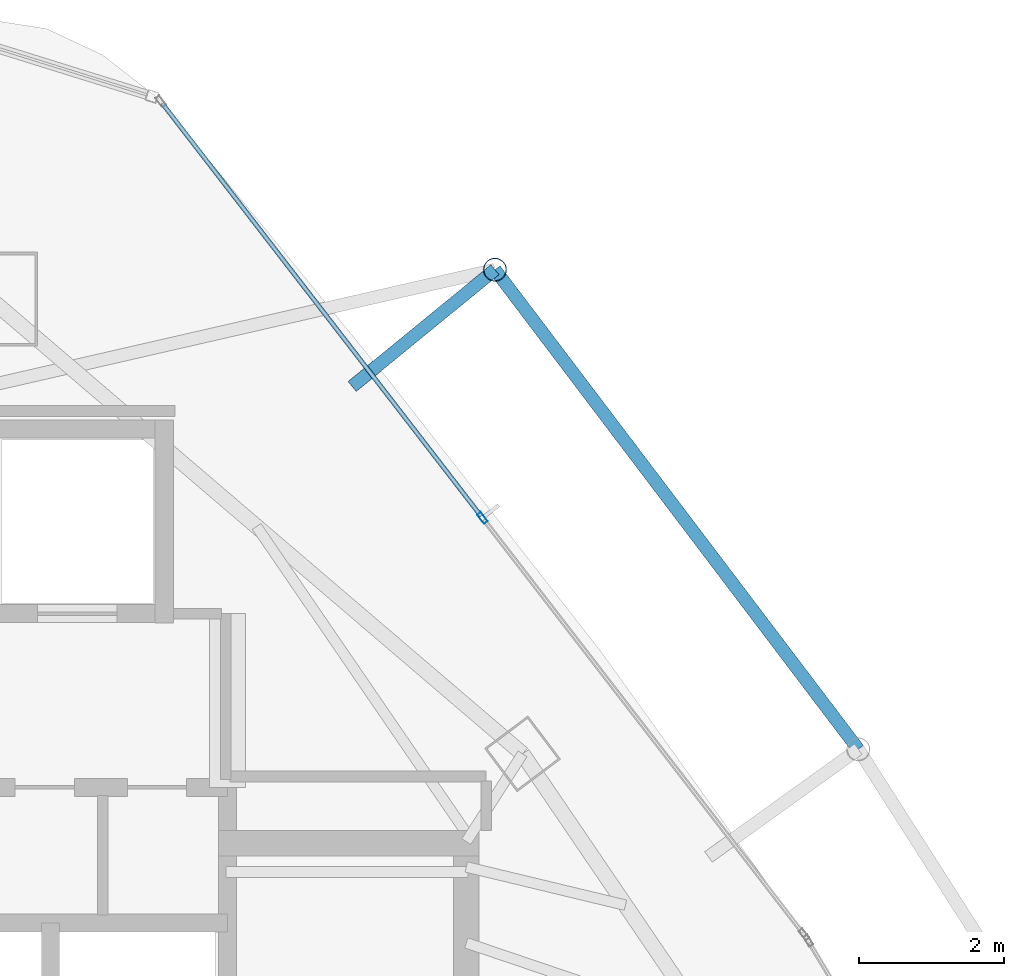
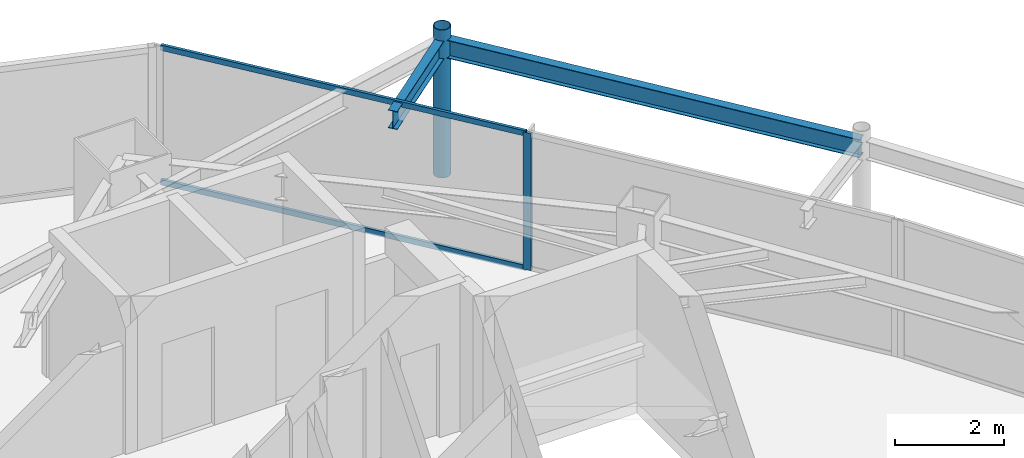
# One storey, part 22 of 29: 4 members, 2 beams, 1 element without a shape of its own.
"""IFC4 building model written with IfcOpenShell, lengths in metres."""

from ifc_helpers import new_model, si_unit, direction, frame, origin, origin_2d, place, context, subcontext, project, spatial, hollow_rectangle, hollow_circle, i_section, extrude, material, layer, layer_set, material_profile, profile_set, type_object, element, aggregate, save


model = new_model("IFC4")

# Units and contexts
model_context = context("Model", 3, precision=1e-05, world=origin(), true_north=direction((0.0, 1.0)))
body_context = subcontext(model_context, "Body", "Model", "MODEL_VIEW")
ifc_project = project(units=[si_unit("LENGTHUNIT", "METRE"), si_unit("AREAUNIT", "SQUARE_METRE"), si_unit("VOLUMEUNIT", "CUBIC_METRE"), si_unit("PLANEANGLEUNIT", "RADIAN"), si_unit("MASSUNIT", "GRAM", prefix="KILO")], contexts=[model_context])

# Site, building, storey
site_placement = place(None, origin())
site = spatial("IfcSite", under=ifc_project, at=site_placement, CompositionType="ELEMENT")
building_placement = place(site_placement, origin())
building = spatial("IfcBuilding", under=site, at=building_placement, Name="Orvanel Arch Residences", CompositionType="ELEMENT")
storey_placement = place(building_placement, frame((0.0, 0.0, 243.64990234375)))
storey = spatial("IfcBuildingStorey", under=building, at=storey_placement, Name="L69", CompositionType="ELEMENT", Elevation=243.64990234375)

# Curtain wall, member
ifc_material_1 = material(Name="Bronze-anodised aluminium AA6063-T6", Category="aluminium")
ifc_layer = layer(ifc_material_1, 0.175048828125)
ifc_layer_set = layer_set([ifc_layer], Name="Bronze-anodised aluminium AA6063-T6")
curtain_wall_type = type_object("IfcCurtainWallType", Name="CW4-HI-SYS", PredefinedType="NOTDEFINED", material=ifc_layer_set)
curtain_wall_placement = place(storey_placement, origin())
curtain_wall = element("IfcCurtainWall", 1, at=curtain_wall_placement, inside=storey, type_object=curtain_wall_type, Name="L69 CW4-HI-SYS Unitised Curtain Wall", PredefinedType="NOTDEFINED")
ifc_material_profile_1 = material_profile(ifc_material_1, hollow_rectangle(XDim=0.06494140625, YDim=0.159912109375, WallThickness=0.00390625, at=origin_2d()), Name="ALU160x65x4")
ifc_profile_set_1 = profile_set([ifc_material_profile_1], Name="Bronze-anodised aluminium AA6063-T6")
member_type_1 = type_object("IfcMemberType", Name="MUL-160x65", PredefinedType="MULLION", material=ifc_profile_set_1)
member_1_placement = place(storey_placement, frame((39.798095703125, 38.3740234375, 0.0), z_axis=(0.0, 0.0, 1.0), x_axis=(-0.791477630276, -0.611198135446, 0.0)))
member_1 = element("IfcMember", 2, at=member_1_placement, type_object=member_type_1, Name="CW-S4 mullion 2", PredefinedType="MULLION", context=body_context, shape_type="SweptSolid", body=[
    extrude(hollow_rectangle(XDim=0.06494140625, YDim=0.159912109375, WallThickness=0.00390625, at=origin_2d()), origin(), (0.0, 0.0, 1.0), 3.06005859375),
])

# Beams
ifc_material_2 = material(Name="Structural steel AS/NZS 3679.1 Grade 300 (300 MPa)", Category="steel")
ifc_material_profile_2 = material_profile(ifc_material_2, i_section(OverallWidth=0.177978515625, OverallDepth=0.406005859375, WebThickness=0.0078125, FlangeThickness=0.0126953125, at=origin_2d()), Name="410UB59.7")
ifc_profile_set_2 = profile_set([ifc_material_profile_2], Name="Structural steel AS/NZS 3679.1 Grade 300 (300 MPa)")
beam_type = type_object("IfcBeamType", Name="OB-410UB-EXT", PredefinedType="SPANDREL", material=ifc_profile_set_2)
beam_1_placement = place(storey_placement, frame((44.992919921875, 35.176025390625, 2.857177734375), z_axis=(-0.60386334005, 0.797087866263, 0.0), x_axis=(-0.797087866263, -0.60386334005, 0.0)))
element("IfcBeam", 3, at=beam_1_placement, inside=storey, type_object=beam_type, Name="L69 Outer Perimeter Floor Ring Beam 11", PredefinedType="SPANDREL", context=body_context, shape_type="SweptSolid", body=[
    extrude(i_section(OverallWidth=0.177978515625, OverallDepth=0.406005859375, WebThickness=0.0078125, FlangeThickness=0.0126953125, at=origin_2d()), origin(), (0.0, 0.0, 1.0), 8.31640625),
])
beam_2_placement = place(storey_placement, frame((37.9970703125, 40.19091796875, 2.857177734375), z_axis=(0.77414497463, 0.633008339799, 0.0), x_axis=(-0.633008339799, 0.77414497463, 0.0)))
element("IfcBeam", 4, at=beam_2_placement, inside=storey, type_object=beam_type, Name="L69 Outer Frame Radial Tie Beam 12", PredefinedType="SPANDREL", context=body_context, shape_type="SweptSolid", body=[
    extrude(i_section(OverallWidth=0.177978515625, OverallDepth=0.406005859375, WebThickness=0.0078125, FlangeThickness=0.0126953125, at=origin_2d()), origin(), (0.0, 0.0, 1.0), 2.5498046875),
])

# Member
ifc_material_3 = material(Name="Structural steel AS/NZS 1163 C350L0 (Grade 350)", Category="steel")
ifc_material_profile_3 = material_profile(ifc_material_3, hollow_circle(Radius=0.162109375, WallThickness=0.0126953125, at=origin_2d()), Name="CHS324x12.7")
ifc_profile_set_3 = profile_set([ifc_material_profile_3], Name="Structural steel AS/NZS 1163 C350L0 (Grade 350)")
member_type_2 = type_object("IfcMemberType", Name="ST-324CHS-EXT", PredefinedType="STRUT", material=ifc_profile_set_3)
member_2_placement = place(storey_placement, frame((39.970947265625, 41.804931640625, 0.0), z_axis=(0.0, 0.0, 1.0), x_axis=(1.0, 0.0, 0.0)))
element("IfcMember", 5, at=member_2_placement, inside=storey, type_object=member_type_2, Name="L69 Outer Perimeter Frame Post 12", PredefinedType="STRUT", context=body_context, shape_type="SweptSolid", body=[
    extrude(hollow_circle(Radius=0.162109375, WallThickness=0.0126953125, at=origin_2d()), origin(), (0.0, 0.0, 1.0), 3.300048828125),
])

ifc_material_profile_4 = material_profile(ifc_material_1, hollow_rectangle(XDim=0.06005859375, YDim=0.1201171875, WallThickness=0.00341796875, at=origin_2d()), Name="ALU120x60x3.5")
ifc_profile_set_4 = profile_set([ifc_material_profile_4], Name="Bronze-anodised aluminium AA6063-T6")
member_type_3 = type_object("IfcMemberType", Name="TRN-120x60", PredefinedType="USERDEFINED", material=ifc_profile_set_4)
member_3_placement = place(storey_placement, frame((39.778076171875, 38.399658203125, 0.030029296875), z_axis=(-0.611186219607, 0.791486831831, 0.0), x_axis=(-0.791486831831, -0.611186219607, 0.0)))
member_3 = element("IfcMember", 6, at=member_3_placement, type_object=member_type_3, Name="CW-S4 transom 2.1", ObjectType="TRANSOM", PredefinedType="USERDEFINED", context=body_context, shape_type="SweptSolid", body=[
    extrude(hollow_rectangle(XDim=0.06005859375, YDim=0.1201171875, WallThickness=0.00341796875, at=origin_2d()), origin(), (0.0, 0.0, 1.0), 7.207763671875),
])

member_4_placement = place(storey_placement, frame((39.778076171875, 38.399658203125, 3.030029296875), z_axis=(-0.611186219607, 0.791486831831, 0.0), x_axis=(-0.791486831831, -0.611186219607, 0.0)))
member_4 = element("IfcMember", 7, at=member_4_placement, type_object=member_type_3, Name="CW-S4 transom 2.2", ObjectType="TRANSOM", PredefinedType="USERDEFINED", context=body_context, shape_type="SweptSolid", body=[
    extrude(hollow_rectangle(XDim=0.06005859375, YDim=0.1201171875, WallThickness=0.00341796875, at=origin_2d()), origin(), (0.0, 0.0, 1.0), 7.207763671875),
])

aggregate(curtain_wall, [member_1, member_3, member_4])

save(model, "model.ifc")
